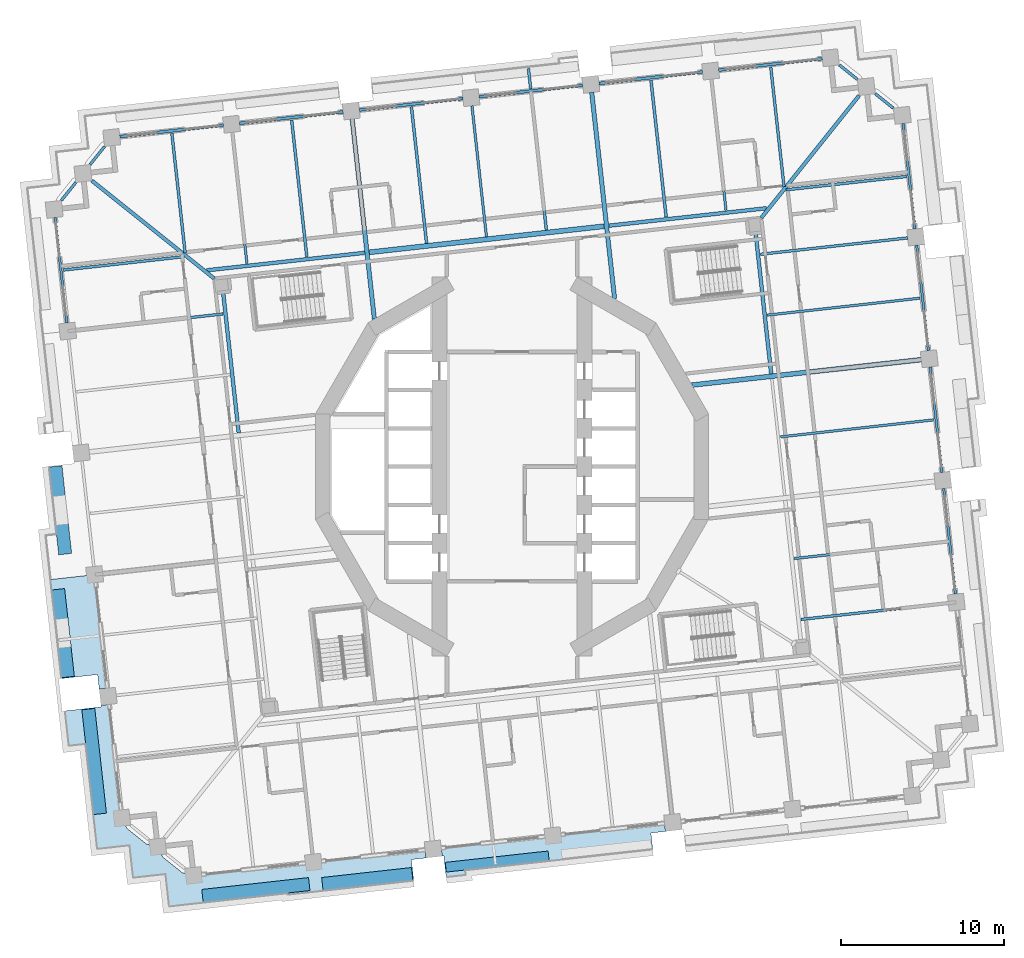
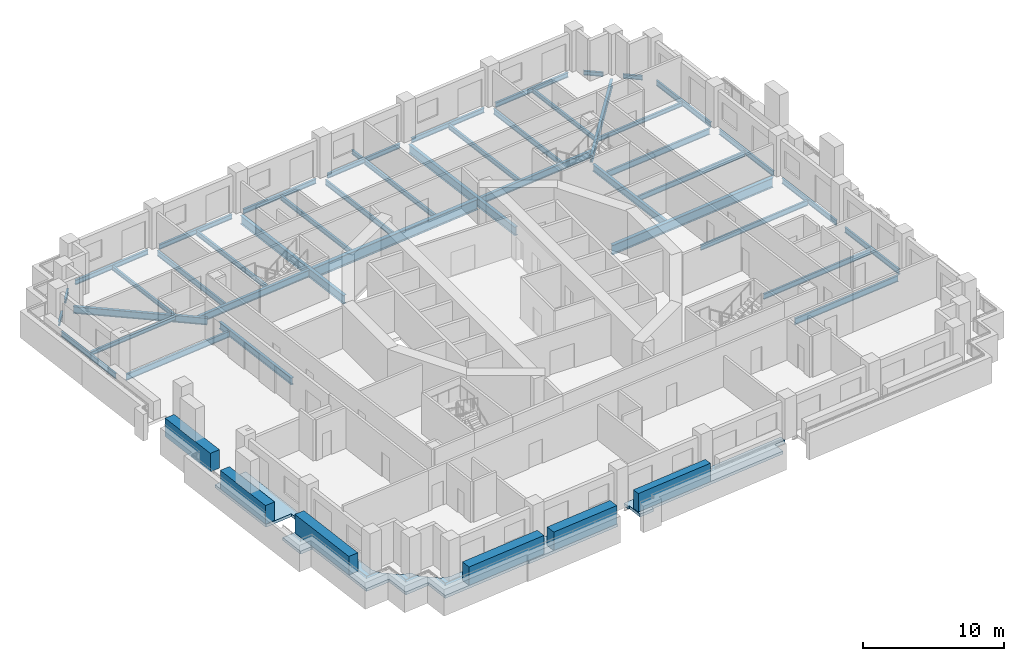
# One storey, part 2 of 19: 43 beams, 6 plates, 3 slabs.
"""IFC4 building model written with IfcOpenShell, lengths in metres."""

from ifc_helpers import new_model, si_unit, direction, frame, origin, origin_2d, place, context, subcontext, project, spatial, polyline, rectangle, i_section, outline, extrude, material, layer, layer_set, material_profile, profile_set, type_object, element, save


model = new_model("IFC4")

# Units and contexts
model_context = context("Model", 3, precision=1e-05, world=origin(), true_north=direction((0.0, 1.0)))
body_context = subcontext(model_context, "Body", "Model", "MODEL_VIEW")
ifc_project = project(units=[si_unit("LENGTHUNIT", "METRE"), si_unit("AREAUNIT", "SQUARE_METRE"), si_unit("VOLUMEUNIT", "CUBIC_METRE"), si_unit("PLANEANGLEUNIT", "RADIAN"), si_unit("MASSUNIT", "GRAM", prefix="KILO")], contexts=[model_context])

# Site, building, storey
site_placement = place(None, origin())
site = spatial("IfcSite", under=ifc_project, at=site_placement, CompositionType="ELEMENT")
building_placement = place(site_placement, origin())
building = spatial("IfcBuilding", under=site, at=building_placement, Name="Cantera Rosa Tower", CompositionType="ELEMENT")
storey_placement = place(building_placement, frame((0.0, 0.0, 65.300048828125)))
storey = spatial("IfcBuildingStorey", under=building, at=storey_placement, Name="L13", CompositionType="ELEMENT", Elevation=65.300048828125)

# Beams
ifc_material_1 = material(Name="Steel ASTM A992 (Fy 345 MPa)", Category="steel")
ifc_material_profile_1 = material_profile(ifc_material_1, i_section(OverallWidth=0.154052734375, OverallDepth=0.4599609375, WebThickness=0.009033203125, FlangeThickness=0.015380859375, FilletRadius=0.01025390625, at=origin_2d()), Name="W460X68")
ifc_profile_set_1 = profile_set([ifc_material_profile_1], Name="Steel ASTM A992 (Fy 345 MPa)")
beam_type_1 = type_object("IfcBeamType", Name="STEEL BEAM W460X68", PredefinedType="BEAM", material=ifc_profile_set_1)
beam_1_placement = place(storey_placement, frame((12.249755859375, 23.796630859375, -0.47998046875), z_axis=(0.110312435488, -0.993896959738, 0.0), x_axis=(0.993896959738, 0.110312435488, 0.0)))
element("IfcBeam", 1, at=beam_1_placement, inside=storey, type_object=beam_type_1, Name="G-Z1-05 L13", PredefinedType="BEAM", context=body_context, shape_type="SweptSolid", body=[
    extrude(i_section(OverallWidth=0.154052734375, OverallDepth=0.4599609375, WebThickness=0.009033203125, FlangeThickness=0.015380859375, FilletRadius=0.01025390625, at=origin_2d()), origin(), (0.0, 0.0, 1.0), 8.10009765625),
])
for number, where, z_axis, x_axis, name in (
    (2, (-2.4599609375, 22.163818359375, -0.47998046875), (0.110315740112, -0.993896592953, 0.0), (0.993896592953, 0.110315740112, 0.0), "G-Z1-07 L13"),
    (3, (-17.169677734375, 20.53125, -0.47998046875), (0.110315740112, -0.993896592953, 0.0), (0.993896592953, 0.110315740112, 0.0), "G-Z1-09 L13"),
):
    element("IfcBeam", number, at=place(storey_placement, frame(where, z_axis=z_axis, x_axis=x_axis)), inside=storey, type_object=beam_type_1, Name=name, PredefinedType="BEAM", context=body_context, shape_type="SweptSolid", body=[
        extrude(i_section(OverallWidth=0.154052734375, OverallDepth=0.4599609375, WebThickness=0.009033203125, FlangeThickness=0.015380859375, FilletRadius=0.01025390625, at=origin_2d()), origin(), (0.0, 0.0, 1.0), 8.099853515625),
    ])
ifc_material_2 = material(Name="Steel ASTM A992 (Fy 345 MPa)", Category="steel")
ifc_material_profile_2 = material_profile(ifc_material_2, i_section(OverallWidth=0.166015625, OverallDepth=0.528076171875, WebThickness=0.009765625, FlangeThickness=0.013671875, FilletRadius=0.0126953125, at=origin_2d()), Name="W530X74")
ifc_profile_set_2 = profile_set([ifc_material_profile_2], Name="Steel ASTM A992 (Fy 345 MPa)")
beam_type_2 = type_object("IfcBeamType", Name="STEEL BEAM W530X74", PredefinedType="BEAM", material=ifc_profile_set_2)
for number, where, z_axis, x_axis, name in (
    (4, (26.78759765625, -8.376220703125, -0.51416015625), (-0.993899428859, -0.110290186845, 0.0), (0.110290186845, -0.993899428859, 0.0), "G-Z1-01 L13"),
    (5, (24.298828125, 14.046142578125, -0.51416015625), (-0.993896161189, -0.110319630049, 0.0), (0.110319630049, -0.993896161189, 0.0), "G-Z1-04 L13"),
    (6, (-26.78759765625, 8.376220703125, -0.51416015625), (0.993899428859, 0.110290186845, 0.0), (-0.110290186845, 0.993899428859, 0.0), "G-Z1-15 L13"),
):
    element("IfcBeam", number, at=place(storey_placement, frame(where, z_axis=z_axis, x_axis=x_axis)), inside=storey, type_object=beam_type_2, Name=name, PredefinedType="BEAM", context=body_context, shape_type="SweptSolid", body=[
        extrude(i_section(OverallWidth=0.166015625, OverallDepth=0.528076171875, WebThickness=0.009765625, FlangeThickness=0.013671875, FilletRadius=0.0126953125, at=origin_2d()), origin(), (0.0, 0.0, 1.0), 9.10009765625),
    ])
ifc_material_3 = material(Name="Steel ASTM A992 (Fy 345 MPa)", Category="steel")
ifc_material_profile_3 = material_profile(ifc_material_3, i_section(OverallWidth=0.22802734375, OverallDepth=0.60205078125, WebThickness=0.010498046875, FlangeThickness=0.014892578125, FilletRadius=0.0126953125, at=origin_2d()), Name="W610X101")
ifc_profile_set_3 = profile_set([ifc_material_profile_3], Name="Steel ASTM A992 (Fy 345 MPa)")
beam_type_3 = type_object("IfcBeamType", Name="STEEL BEAM W610X101", PredefinedType="BEAM", material=ifc_profile_set_3)
beam_2_placement = place(storey_placement, frame((21.31591796875, 22.79052734375, -0.551025390625), z_axis=(-0.624787924463, -0.780794498857, 0.0), x_axis=(0.780794498857, -0.624787924463, 0.0)))
element("IfcBeam", 7, at=beam_2_placement, inside=storey, type_object=beam_type_3, Name="CB-Z1-01 L13", PredefinedType="BEAM", context=body_context, shape_type="SweptSolid", body=[
    extrude(i_section(OverallWidth=0.22802734375, OverallDepth=0.60205078125, WebThickness=0.010498046875, FlangeThickness=0.014892578125, FilletRadius=0.0126953125, at=origin_2d()), origin(), (0.0, 0.0, 1.0), 9.616455078125),
])
beam_3_placement = place(storey_placement, frame((-25.794677734375, 17.561767578125, -0.551025390625), z_axis=(0.78078211406, -0.62480340137, 0.0), x_axis=(0.62480340137, 0.78078211406, 0.0)))
element("IfcBeam", 8, at=beam_3_placement, inside=storey, type_object=beam_type_3, Name="CB-Z1-02 L13", PredefinedType="BEAM", context=body_context, shape_type="SweptSolid", body=[
    extrude(i_section(OverallWidth=0.22802734375, OverallDepth=0.60205078125, WebThickness=0.010498046875, FlangeThickness=0.014892578125, FilletRadius=0.0126953125, at=origin_2d()), origin(), (0.0, 0.0, 1.0), 9.61669921875),
])
for number, where, z_axis, x_axis, name in (
    (9, (15.918212890625, 5.70068359375, -0.551025390625), (-0.110298932846, 0.993898458301, 0.0), (-0.993898458301, -0.110298932846, 0.0), "RB-Z1-09 L13"),
    (10, (-16.781005859375, 2.071533203125, -0.551025390625), (-0.110298932846, 0.993898458301, 0.0), (-0.993898458301, -0.110298932846, 0.0), "RB-Z1-12 L13"),
):
    element("IfcBeam", number, at=place(storey_placement, frame(where, z_axis=z_axis, x_axis=x_axis)), inside=storey, type_object=beam_type_3, Name=name, PredefinedType="BEAM", context=body_context, shape_type="SweptSolid", body=[
        extrude(i_section(OverallWidth=0.22802734375, OverallDepth=0.60205078125, WebThickness=0.010498046875, FlangeThickness=0.014892578125, FilletRadius=0.0126953125, at=origin_2d()), origin(), (0.0, 0.0, 1.0), 8.68994140625),
    ])
ifc_material_4 = material(Name="Steel ASTM A992 (Fy 345 MPa)", Category="steel")
ifc_material_profile_4 = material_profile(ifc_material_4, i_section(OverallWidth=0.22900390625, OverallDepth=0.612060546875, WebThickness=0.011962890625, FlangeThickness=0.01953125, FilletRadius=0.0126953125, at=origin_2d()), Name="W610X125")
ifc_profile_set_4 = profile_set([ifc_material_profile_4], Name="Steel ASTM A992 (Fy 345 MPa)")
beam_type_4 = type_object("IfcBeamType", Name="STEEL BEAM W610X125", PredefinedType="BEAM", material=ifc_profile_set_4)
beam_4_placement = place(storey_placement, frame((-18.744384765625, 12.055908203125, -0.55615234375), z_axis=(0.993898383269, 0.110299608956, 0.0), x_axis=(-0.110299608956, 0.993898383269, 0.0)))
element("IfcBeam", 11, at=beam_4_placement, inside=storey, type_object=beam_type_4, Name="RB-Z1-01 L13", PredefinedType="BEAM", context=body_context, shape_type="SweptSolid", body=[
    extrude(i_section(OverallWidth=0.22900390625, OverallDepth=0.612060546875, WebThickness=0.011962890625, FlangeThickness=0.01953125, FilletRadius=0.0126953125, at=origin_2d()), origin(), (0.0, 0.0, 1.0), 9.750244140625),
])
beam_5_placement = place(storey_placement, frame((5.9541015625, 14.797119140625, -0.55615234375), z_axis=(0.993898078625, 0.110302354035, 0.0), x_axis=(-0.110302354035, 0.993898078625, 0.0)))
element("IfcBeam", 12, at=beam_5_placement, inside=storey, type_object=beam_type_4, Name="RB-Z1-03 L13", PredefinedType="BEAM", context=body_context, shape_type="SweptSolid", body=[
    extrude(i_section(OverallWidth=0.22900390625, OverallDepth=0.612060546875, WebThickness=0.011962890625, FlangeThickness=0.01953125, FilletRadius=0.0126953125, at=origin_2d()), origin(), (0.0, 0.0, 1.0), 9.75),
])
ifc_material_5 = material(Name="Steel ASTM A992 (Fy 345 MPa)", Category="steel")
ifc_material_profile_5 = material_profile(ifc_material_5, i_section(OverallWidth=0.26708984375, OverallDepth=0.75390625, WebThickness=0.01318359375, FlangeThickness=0.01708984375, FilletRadius=0.0166015625, at=origin_2d()), Name="W760X147")
ifc_profile_set_5 = profile_set([ifc_material_profile_5], Name="Steel ASTM A992 (Fy 345 MPa)")
beam_type_5 = type_object("IfcBeamType", Name="STEEL BEAM W760X147", PredefinedType="BEAM", material=ifc_profile_set_5)
beam_6_placement = place(storey_placement, frame((4.894775390625, 22.980224609375, -0.626953125), z_axis=(0.11031177493, -0.993897033053, 0.0), x_axis=(0.993897033053, 0.11031177493, 0.0)))
element("IfcBeam", 13, at=beam_6_placement, inside=storey, type_object=beam_type_5, Name="G-Z1-06 L13", PredefinedType="BEAM", context=body_context, shape_type="SweptSolid", body=[
    extrude(i_section(OverallWidth=0.26708984375, OverallDepth=0.75390625, WebThickness=0.01318359375, FlangeThickness=0.01708984375, FilletRadius=0.0166015625, at=origin_2d()), origin(), (0.0, 0.0, 1.0), 12.754638671875),
])
beam_7_placement = place(storey_placement, frame((-9.814697265625, 21.34765625, -0.626953125), z_axis=(0.110292782244, -0.993899140851, 0.0), x_axis=(0.993899140851, 0.110292782244, 0.0)))
element("IfcBeam", 14, at=beam_7_placement, inside=storey, type_object=beam_type_5, Name="G-Z1-08 L13", PredefinedType="BEAM", context=body_context, shape_type="SweptSolid", body=[
    extrude(i_section(OverallWidth=0.26708984375, OverallDepth=0.75390625, WebThickness=0.01318359375, FlangeThickness=0.01708984375, FilletRadius=0.0166015625, at=origin_2d()), origin(), (0.0, 0.0, 1.0), 12.360595703125),
])
ifc_material_6 = material(Name="Steel ASTM A992 (Fy 345 MPa)", Category="steel")
ifc_material_profile_6 = material_profile(ifc_material_6, i_section(OverallWidth=0.2919921875, OverallDepth=0.8359375, WebThickness=0.013916015625, FlangeThickness=0.018798828125, FilletRadius=0.017822265625, at=origin_2d()), Name="W840X176")
ifc_profile_set_6 = profile_set([ifc_material_profile_6], Name="Steel ASTM A992 (Fy 345 MPa)")
beam_type_6 = type_object("IfcBeamType", Name="STEEL BEAM W840X176", PredefinedType="BEAM", material=ifc_profile_set_6)
beam_8_placement = place(storey_placement, frame((25.12841796875, 6.572021484375, -0.66796875), z_axis=(-0.993897599241, -0.110306673519, 0.0), x_axis=(0.110306673519, -0.993897599241, 0.0)))
element("IfcBeam", 15, at=beam_8_placement, inside=storey, type_object=beam_type_6, Name="G-Z1-03 L13", PredefinedType="BEAM", context=body_context, shape_type="SweptSolid", body=[
    extrude(i_section(OverallWidth=0.2919921875, OverallDepth=0.8359375, WebThickness=0.013916015625, FlangeThickness=0.018798828125, FilletRadius=0.017822265625, at=origin_2d()), origin(), (0.0, 0.0, 1.0), 14.1650390625),
])
ifc_material_7 = material(Name="Steel ASTM A992 (Fy 345 MPa)", Category="steel")
ifc_material_profile_7 = material_profile(ifc_material_7, i_section(OverallWidth=0.304931640625, OverallDepth=0.9189453125, WebThickness=0.017333984375, FlangeThickness=0.02783203125, FilletRadius=0.01904296875, at=origin_2d()), Name="W920X253")
ifc_profile_set_7 = profile_set([ifc_material_profile_7], Name="Steel ASTM A992 (Fy 345 MPa)")
beam_type_7 = type_object("IfcBeamType", Name="STEEL BEAM W920X253", PredefinedType="BEAM", material=ifc_profile_set_7)
beam_9_placement = place(storey_placement, frame((-8.755615234375, 13.16455078125, -0.70947265625), z_axis=(0.993898099692, 0.110302164209, 0.0), x_axis=(-0.110302164209, 0.993898099692, 0.0)))
element("IfcBeam", 16, at=beam_9_placement, inside=storey, type_object=beam_type_7, Name="RB-Z1-02 L13", PredefinedType="BEAM", context=body_context, shape_type="SweptSolid", body=[
    extrude(i_section(OverallWidth=0.304931640625, OverallDepth=0.9189453125, WebThickness=0.017333984375, FlangeThickness=0.02783203125, FilletRadius=0.01904296875, at=origin_2d()), origin(), (0.0, 0.0, 1.0), 14.499755859375),
])
ifc_material_8 = material(Name="Steel ASTM A992 (Fy 345 MPa)", Category="steel")
ifc_material_profile_8 = material_profile(ifc_material_8, i_section(OverallWidth=0.1708984375, OverallDepth=0.35595703125, WebThickness=0.00732421875, FlangeThickness=0.01171875, FilletRadius=0.010009765625, at=origin_2d()), Name="W360X51")
ifc_profile_set_8 = profile_set([ifc_material_profile_8], Name="Steel ASTM A992 (Fy 345 MPa)")
beam_type_8 = type_object("IfcBeamType", Name="STEEL JOIST W360X51", PredefinedType="JOIST", material=ifc_profile_set_8)
beam_10_placement = place(storey_placement, frame((24.23193359375, 17.82177734375, -0.427978515625), z_axis=(-0.993899688369, -0.110287848199, 0.0), x_axis=(0.110287848199, -0.993899688369, 0.0)))
element("IfcBeam", 17, at=beam_10_placement, inside=storey, type_object=beam_type_8, Name="B-Z1-05 L13", PredefinedType="JOIST", context=body_context, shape_type="SweptSolid", body=[
    extrude(i_section(OverallWidth=0.1708984375, OverallDepth=0.35595703125, WebThickness=0.00732421875, FlangeThickness=0.01171875, FilletRadius=0.010009765625, at=origin_2d()), origin(), (0.0, 0.0, 1.0), 7.4599609375),
])
for number, where, z_axis, x_axis, name in (
    (18, (15.888427734375, 24.552490234375, -0.427978515625), (0.110326513132, -0.993895397162, 0.0), (0.993895397162, 0.110326513132, 0.0), "B-Z1-06 L13"),
    (19, (-20.8857421875, 20.470947265625, -0.427978515625), (0.110326513132, -0.993895397162, 0.0), (0.993895397162, 0.110326513132, 0.0), "B-Z1-11 L13"),
):
    element("IfcBeam", number, at=place(storey_placement, frame(where, z_axis=z_axis, x_axis=x_axis)), inside=storey, type_object=beam_type_8, Name=name, PredefinedType="JOIST", context=body_context, shape_type="SweptSolid", body=[
        extrude(i_section(OverallWidth=0.1708984375, OverallDepth=0.35595703125, WebThickness=0.00732421875, FlangeThickness=0.01171875, FilletRadius=0.010009765625, at=origin_2d()), origin(), (0.0, 0.0, 1.0), 7.39990234375),
    ])
beam_11_placement = place(storey_placement, frame((-27.550048828125, 12.074462890625, -0.427978515625), z_axis=(0.993895702238, 0.110323764768, 0.0), x_axis=(-0.110323764768, 0.993895702238, 0.0)))
element("IfcBeam", 20, at=beam_11_placement, inside=storey, type_object=beam_type_8, Name="B-Z1-18 L13", PredefinedType="JOIST", context=body_context, shape_type="SweptSolid", body=[
    extrude(i_section(OverallWidth=0.1708984375, OverallDepth=0.35595703125, WebThickness=0.00732421875, FlangeThickness=0.01171875, FilletRadius=0.010009765625, at=origin_2d()), origin(), (0.0, 0.0, 1.0), 7.4599609375),
])
beam_12_placement = place(storey_placement, frame((1.14794921875, 23.1982421875, -0.427978515625), z_axis=(-0.110345783203, 0.993893257915, 0.0), x_axis=(-0.993893257915, -0.110345783203, 0.0)))
element("IfcBeam", 21, at=beam_12_placement, inside=storey, type_object=beam_type_8, Name="BS-Z1-12 L13", PredefinedType="JOIST", context=body_context, shape_type="SweptSolid", body=[
    extrude(i_section(OverallWidth=0.1708984375, OverallDepth=0.35595703125, WebThickness=0.00732421875, FlangeThickness=0.01171875, FilletRadius=0.010009765625, at=origin_2d()), origin(), (0.0, 0.0, 1.0), 1.25),
])
ifc_material_9 = material(Name="Steel ASTM A992 (Fy 345 MPa)", Category="steel")
ifc_material_profile_9 = material_profile(ifc_material_9, i_section(OverallWidth=0.177978515625, OverallDepth=0.406005859375, WebThickness=0.0078125, FlangeThickness=0.0126953125, FilletRadius=0.01025390625, at=origin_2d()), Name="W410X60")
ifc_profile_set_9 = profile_set([ifc_material_profile_9], Name="Steel ASTM A992 (Fy 345 MPa)")
beam_type_9 = type_object("IfcBeamType", Name="STEEL JOIST W410X60", PredefinedType="JOIST", material=ifc_profile_set_9)
for number, where, z_axis, x_axis, name in (
    (22, (8.53369140625, 23.736328125, -0.453125), (0.110311022989, -0.99389711651, 0.0), (0.99389711651, 0.110311022989, 0.0), "B-Z1-07 L13"),
    (23, (1.178955078125, 22.919921875, -0.453125), (0.110311022989, -0.99389711651, 0.0), (0.99389711651, 0.110311022989, 0.0), "B-Z1-08 L13"),
    (24, (-6.176025390625, 22.103515625, -0.453125), (0.110311022989, -0.99389711651, 0.0), (0.99389711651, 0.110311022989, 0.0), "B-Z1-09 L13"),
    (25, (-13.53076171875, 21.287353515625, -0.453125), (0.110311022989, -0.99389711651, 0.0), (0.99389711651, 0.110311022989, 0.0), "B-Z1-10 L13"),
):
    element("IfcBeam", number, at=place(storey_placement, frame(where, z_axis=z_axis, x_axis=x_axis)), inside=storey, type_object=beam_type_9, Name=name, PredefinedType="JOIST", context=body_context, shape_type="SweptSolid", body=[
        extrude(i_section(OverallWidth=0.177978515625, OverallDepth=0.406005859375, WebThickness=0.0078125, FlangeThickness=0.0126953125, FilletRadius=0.01025390625, at=origin_2d()), origin(), (0.0, 0.0, 1.0), 8.449951171875),
    ])
ifc_material_10 = material(Name="Steel ASTM A992 (Fy 345 MPa)", Category="steel")
ifc_material_profile_10 = material_profile(ifc_material_10, i_section(OverallWidth=0.154052734375, OverallDepth=0.4599609375, WebThickness=0.009033203125, FlangeThickness=0.015380859375, FilletRadius=0.01025390625, at=origin_2d()), Name="W460X68")
ifc_profile_set_10 = profile_set([ifc_material_profile_10], Name="Steel ASTM A992 (Fy 345 MPa)")
beam_type_10 = type_object("IfcBeamType", Name="STEEL JOIST W460X68", PredefinedType="JOIST", material=ifc_profile_set_10)
for number, where, z_axis, x_axis, name in (
    (26, (26.720458984375, -4.600341796875, -0.47998046875), (-0.993896645353, -0.110315268011, 0.0), (0.110315268011, -0.993896645353, 0.0), "B-Z1-02 L13"),
    (27, (25.89111328125, 2.87353515625, -0.47998046875), (-0.993899477629, -0.110289747342, 0.0), (0.110289747342, -0.993899477629, 0.0), "B-Z1-03 L13"),
    (28, (25.0615234375, 10.34765625, -0.47998046875), (-0.993896645353, -0.110315268011, 0.0), (0.110315268011, -0.993896645353, 0.0), "B-Z1-04 L13"),
):
    element("IfcBeam", number, at=place(storey_placement, frame(where, z_axis=z_axis, x_axis=x_axis)), inside=storey, type_object=beam_type_10, Name=name, PredefinedType="JOIST", context=body_context, shape_type="SweptSolid", body=[
        extrude(i_section(OverallWidth=0.154052734375, OverallDepth=0.4599609375, WebThickness=0.009033203125, FlangeThickness=0.015380859375, FilletRadius=0.01025390625, at=origin_2d()), origin(), (0.0, 0.0, 1.0), 9.449951171875),
    ])
ifc_material_11 = material(Name="Steel ASTM A992 (Fy 345 MPa)", Category="steel")
ifc_material_profile_11 = material_profile(ifc_material_11, i_section(OverallWidth=0.1708984375, OverallDepth=0.35595703125, WebThickness=0.00732421875, FlangeThickness=0.01171875, FilletRadius=0.010009765625, at=origin_2d()), Name="W360X51")
ifc_profile_set_11 = profile_set([ifc_material_profile_11], Name="Steel ASTM A992 (Fy 345 MPa)")
beam_type_11 = type_object("IfcBeamType", Name="STEEL SPANDREL BEAM W360X51", PredefinedType="SPANDREL", material=ifc_profile_set_11)
for number, where, z_axis, x_axis, name in (
    (29, (23.4140625, 22.017333984375, -0.427978515625), (-0.780818280208, 0.624758203863, 0.0), (-0.624758203863, -0.780818280208, 0.0), "EB-Z1-06 L13"),
    (30, (21.205810546875, 23.784423828125, -0.427978515625), (-0.780818280208, 0.624758203863, 0.0), (-0.624758203863, -0.780818280208, 0.0), "EB-Z1-07 L13"),
    (31, (-25.021484375, 19.659912109375, -0.427978515625), (-0.624758203863, -0.780818280208, 0.0), (0.780818280208, -0.624758203863, 0.0), "EB-Z1-14 L13"),
    (32, (-26.78857421875, 17.451416015625, -0.427978515625), (-0.624758203863, -0.780818280208, 0.0), (0.780818280208, -0.624758203863, 0.0), "EB-Z1-15 L13"),
):
    element("IfcBeam", number, at=place(storey_placement, frame(where, z_axis=z_axis, x_axis=x_axis)), inside=storey, type_object=beam_type_11, Name=name, PredefinedType="SPANDREL", context=body_context, shape_type="SweptSolid", body=[
        extrude(i_section(OverallWidth=0.1708984375, OverallDepth=0.35595703125, WebThickness=0.00732421875, FlangeThickness=0.01171875, FilletRadius=0.010009765625, at=origin_2d()), origin(), (0.0, 0.0, 1.0), 1.414306640625),
    ])
ifc_material_12 = material(Name="Steel ASTM A992 (Fy 345 MPa)", Category="steel")
ifc_material_profile_12 = material_profile(ifc_material_12, i_section(OverallWidth=0.177978515625, OverallDepth=0.406005859375, WebThickness=0.0078125, FlangeThickness=0.0126953125, FilletRadius=0.01025390625, at=origin_2d()), Name="W410X60")
ifc_profile_set_12 = profile_set([ifc_material_profile_12], Name="Steel ASTM A992 (Fy 345 MPa)")
beam_type_12 = type_object("IfcBeamType", Name="STEEL SPANDREL BEAM W410X60", PredefinedType="SPANDREL", material=ifc_profile_set_12)
beam_13_placement = place(storey_placement, frame((19.052490234375, 25.0546875, -0.453125), z_axis=(-0.993896288542, -0.110318482689, 0.0), x_axis=(0.110318482689, -0.993896288542, 0.0)))
element("IfcBeam", 33, at=beam_13_placement, inside=storey, type_object=beam_type_12, Name="EB-Z1-08 L13", PredefinedType="SPANDREL", context=body_context, shape_type="SweptSolid", body=[
    extrude(i_section(OverallWidth=0.177978515625, OverallDepth=0.406005859375, WebThickness=0.0078125, FlangeThickness=0.0126953125, FilletRadius=0.01025390625, at=origin_2d()), origin(), (0.0, 0.0, 1.0), 6.400146484375),
])
for number, where, z_axis, x_axis, name in (
    (34, (11.697509765625, 24.23828125, -0.453125), (-0.993895824271, -0.110322665379, 0.0), (0.110322665379, -0.993895824271, 0.0), "EB-Z1-09 L13"),
    (35, (4.3427734375, 23.422119140625, -0.453125), (-0.993895824271, -0.110322665379, 0.0), (0.110322665379, -0.993895824271, 0.0), "EB-Z1-10 L13"),
):
    element("IfcBeam", number, at=place(storey_placement, frame(where, z_axis=z_axis, x_axis=x_axis)), inside=storey, type_object=beam_type_12, Name=name, PredefinedType="SPANDREL", context=body_context, shape_type="SweptSolid", body=[
        extrude(i_section(OverallWidth=0.177978515625, OverallDepth=0.406005859375, WebThickness=0.0078125, FlangeThickness=0.0126953125, FilletRadius=0.01025390625, at=origin_2d()), origin(), (0.0, 0.0, 1.0), 6.39990234375),
    ])
beam_14_placement = place(storey_placement, frame((-3.011962890625, 22.605712890625, -0.453125), z_axis=(-0.993896288542, -0.110318482689, 0.0), x_axis=(0.110318482689, -0.993896288542, 0.0)))
element("IfcBeam", 36, at=beam_14_placement, inside=storey, type_object=beam_type_12, Name="EB-Z1-11 L13", PredefinedType="SPANDREL", context=body_context, shape_type="SweptSolid", body=[
    extrude(i_section(OverallWidth=0.177978515625, OverallDepth=0.406005859375, WebThickness=0.0078125, FlangeThickness=0.0126953125, FilletRadius=0.01025390625, at=origin_2d()), origin(), (0.0, 0.0, 1.0), 6.400146484375),
])
beam_15_placement = place(storey_placement, frame((-10.366943359375, 21.789306640625, -0.453125), z_axis=(-0.993900006422, -0.110284981906, 0.0), x_axis=(0.110284981906, -0.993900006422, 0.0)))
element("IfcBeam", 37, at=beam_15_placement, inside=storey, type_object=beam_type_12, Name="EB-Z1-12 L13", PredefinedType="SPANDREL", context=body_context, shape_type="SweptSolid", body=[
    extrude(i_section(OverallWidth=0.177978515625, OverallDepth=0.406005859375, WebThickness=0.0078125, FlangeThickness=0.0126953125, FilletRadius=0.01025390625, at=origin_2d()), origin(), (0.0, 0.0, 1.0), 6.39990234375),
])
beam_16_placement = place(storey_placement, frame((-17.7216796875, 20.97314453125, -0.453125), z_axis=(-0.993896288542, -0.110318482689, 0.0), x_axis=(0.110318482689, -0.993896288542, 0.0)))
element("IfcBeam", 38, at=beam_16_placement, inside=storey, type_object=beam_type_12, Name="EB-Z1-13 L13", PredefinedType="SPANDREL", context=body_context, shape_type="SweptSolid", body=[
    extrude(i_section(OverallWidth=0.177978515625, OverallDepth=0.406005859375, WebThickness=0.0078125, FlangeThickness=0.0126953125, FilletRadius=0.01025390625, at=origin_2d()), origin(), (0.0, 0.0, 1.0), 6.400146484375),
])
ifc_material_13 = material(Name="Steel ASTM A992 (Fy 345 MPa)", Category="steel")
ifc_material_profile_13 = material_profile(ifc_material_13, i_section(OverallWidth=0.154052734375, OverallDepth=0.4599609375, WebThickness=0.009033203125, FlangeThickness=0.015380859375, FilletRadius=0.01025390625, at=origin_2d()), Name="W460X68")
ifc_profile_set_13 = profile_set([ifc_material_profile_13], Name="Steel ASTM A992 (Fy 345 MPa)")
beam_type_13 = type_object("IfcBeamType", Name="STEEL SPANDREL BEAM W460X68", PredefinedType="SPANDREL", material=ifc_profile_set_13)
for number, where, z_axis, x_axis, name in (
    (39, (27.229248046875, -7.823974609375, -0.47998046875), (-0.110312341265, 0.993896970196, 0.0), (-0.993896970196, -0.110312341265, 0.0), "EB-Z1-02 L13"),
    (40, (26.399658203125, -0.349853515625, -0.47998046875), (-0.110312341265, 0.993896970196, 0.0), (-0.993896970196, -0.110312341265, 0.0), "EB-Z1-03 L13"),
    (41, (25.570068359375, 7.124267578125, -0.47998046875), (-0.110312341265, 0.993896970196, 0.0), (-0.993896970196, -0.110312341265, 0.0), "EB-Z1-04 L13"),
    (42, (24.74072265625, 14.598388671875, -0.47998046875), (-0.110312341265, 0.993896970196, 0.0), (-0.993896970196, -0.110312341265, 0.0), "EB-Z1-05 L13"),
    (43, (-28.058837890625, 15.298095703125, -0.47998046875), (0.110312341265, -0.993896970196, 0.0), (0.993896970196, 0.110312341265, 0.0), "EB-Z1-16 L13"),
):
    element("IfcBeam", number, at=place(storey_placement, frame(where, z_axis=z_axis, x_axis=x_axis)), inside=storey, type_object=beam_type_13, Name=name, PredefinedType="SPANDREL", context=body_context, shape_type="SweptSolid", body=[
        extrude(i_section(OverallWidth=0.154052734375, OverallDepth=0.4599609375, WebThickness=0.009033203125, FlangeThickness=0.015380859375, FilletRadius=0.01025390625, at=origin_2d()), origin(), (0.0, 0.0, 1.0), 6.52001953125),
    ])

# Slabs
ifc_material_14 = material(Name="Concrete C35/45", Category="concrete")
ifc_layer = layer(ifc_material_14, 0.25)
ifc_layer_set = layer_set([ifc_layer], Name="LOGGIA SLAB 250 C35/45")
slab_type = type_object("IfcSlabType", Name="LOGGIA SLAB 250 C35/45", PredefinedType="FLOOR", material=ifc_layer_set)
slab_1_placement = place(storey_placement, frame((0.0, 0.0, -0.25)))
element("IfcSlab", 44, at=slab_1_placement, inside=storey, type_object=slab_type, Name="LOGGIA SLAB L13 1", PredefinedType="FLOOR", context=body_context, shape_type="SweptSolid", body=[
    extrude(outline(polyline([(-28.34130859375, -6.9287109375), (-25.625244140625, -6.627197265625), (-24.850830078125, -13.6044921875), (-25.347900390625, -13.65966796875), (-25.447265625, -12.764892578125), (-27.666259765625, -13.01123046875), (-28.34130859375, -6.9287109375)])), origin(), (0.0, 0.0, 1.0), 0.25),
])
slab_2_placement = place(storey_placement, frame((0.0, 0.0, -0.25)))
element("IfcSlab", 45, at=slab_2_placement, inside=storey, type_object=slab_type, Name="LOGGIA SLAB L13 3", PredefinedType="FLOOR", context=body_context, shape_type="SweptSolid", body=[
    extrude(outline(polyline([(-21.272216796875, -24.999267578125), (-21.5703125, -25.0322265625), (-23.260009765625, -25.2197265625), (-23.447509765625, -23.5302734375), (-23.48046875, -23.23193359375), (-23.77880859375, -23.26513671875), (-25.46826171875, -23.45263671875), (-25.65576171875, -21.762939453125), (-26.183837890625, -17.0048828125), (-27.21044921875, -17.118896484375), (-27.445556640625, -14.9990234375), (-25.2265625, -14.752685546875), (-25.237548828125, -14.653564453125), (-24.740478515625, -14.598388671875), (-23.96630859375, -21.575439453125), (-23.677001953125, -22.161865234375), (-23.66162109375, -22.18701171875), (-23.643798828125, -22.21044921875), (-23.62353515625, -22.23193359375), (-23.6015625, -22.25146484375), (-22.497314453125, -23.135009765625), (-22.473388671875, -23.15234375), (-22.447998046875, -23.1669921875), (-22.42138671875, -23.179443359375), (-22.393310546875, -23.18896484375), (-21.7578125, -23.342529296875), (-21.468505859375, -23.92919921875), (-21.453125, -23.9541015625), (-21.435302734375, -23.9775390625), (-21.415283203125, -23.999267578125), (-21.39306640625, -24.018798828125), (-20.288818359375, -24.902099609375), (-20.26513671875, -24.91943359375), (-20.239501953125, -24.934326171875), (-20.212890625, -24.946533203125), (-20.18505859375, -24.9560546875), (-19.54931640625, -25.10986328125), (-18.642578125, -25.00927734375), (-5.336669921875, -23.5322265625), (-5.281494140625, -24.029296875), (-6.176025390625, -24.12841796875), (-6.0341796875, -25.406005859375), (-13.77197265625, -26.2646484375), (-13.78125, -26.179931640625), (-19.36181640625, -26.79931640625), (-21.051513671875, -26.98681640625), (-21.239013671875, -25.29736328125), (-21.272216796875, -24.999267578125)])), origin(), (0.0, 0.0, 1.0), 0.25),
])
slab_3_placement = place(storey_placement, frame((0.0, 0.0, -0.25)))
element("IfcSlab", 46, at=slab_3_placement, inside=storey, type_object=slab_type, Name="LOGGIA SLAB L13 5", PredefinedType="FLOOR", context=body_context, shape_type="SweptSolid", body=[
    extrude(outline(polyline([(9.373046875, -21.899658203125), (9.42822265625, -22.396484375), (8.53369140625, -22.495849609375), (8.64404296875, -23.48974609375), (8.544677734375, -23.5009765625), (4.17138671875, -23.986083984375), (1.189697265625, -24.317138671875), (-2.89990234375, -24.77099609375), (-2.868408203125, -25.054443359375), (-4.04638671875, -25.185302734375), (-4.188232421875, -23.907958984375), (-4.28759765625, -23.9189453125), (-4.3427734375, -23.422119140625), (9.373046875, -21.899658203125)])), origin(), (0.0, 0.0, 1.0), 0.25),
])

# Plates
ifc_material_15 = material(Name="Cantera stone planter with soil", Category="masonry")
plate_type_1 = type_object("IfcPlateType", Name="PLANTER 600", PredefinedType="USERDEFINED", material=ifc_material_15)
plate_1_placement = place(storey_placement, frame((-0.90576171875, -24.247802734375, 0.0), z_axis=(0.0, 0.0, 1.0), x_axis=(0.993896946415, 0.110312555526, 0.0)))
element("IfcPlate", 47, at=plate_1_placement, inside=storey, type_object=plate_type_1, Name="PLANTER L13-19", ObjectType="PLANTER", PredefinedType="USERDEFINED", context=body_context, shape_type="SweptSolid", body=[
    extrude(rectangle(XDim=6.35009765625, YDim=0.60009765625, at=origin_2d()), origin(), (0.0, 0.0, 1.0), 1.60009765625),
])
ifc_material_16 = material(Name="Cantera stone planter with soil", Category="masonry")
plate_type_2 = type_object("IfcPlateType", Name="PLANTER 800", PredefinedType="USERDEFINED", material=ifc_material_16)
for number, where, z_axis, x_axis, name in (
    (48, (-27.733642578125, -2.67578125, 0.0), (0.0, 0.0, 1.0), (0.110312555526, -0.993896946415, 0.0), "PLANTER L13-14"),
    (49, (-27.5732421875, -10.22412109375, 0.0), (0.0, 0.0, 1.0), (0.110312555526, -0.993896946415, 0.0), "PLANTER L13-15"),
):
    element("IfcPlate", number, at=place(storey_placement, frame(where, z_axis=z_axis, x_axis=x_axis)), inside=storey, type_object=plate_type_2, Name=name, ObjectType="PLANTER", PredefinedType="USERDEFINED", context=body_context, shape_type="SweptSolid", body=[
        extrude(rectangle(XDim=5.419921875, YDim=0.800048828125, at=origin_2d()), origin(), (0.0, 0.0, 1.0), 1.60009765625),
    ])
plate_2_placement = place(storey_placement, frame((-25.6591796875, -18.10595703125, 0.0), z_axis=(0.0, 0.0, 1.0), x_axis=(0.110312555526, -0.993896946415, 0.0)))
element("IfcPlate", 50, at=plate_2_placement, inside=storey, type_object=plate_type_2, Name="PLANTER L13-16", ObjectType="PLANTER", PredefinedType="USERDEFINED", context=body_context, shape_type="SweptSolid", body=[
    extrude(rectangle(XDim=6.469970703125, YDim=0.800048828125, at=origin_2d()), origin(), (0.0, 0.0, 1.0), 1.60009765625),
])
plate_3_placement = place(storey_placement, frame((-15.728515625, -25.99365234375, 0.0), z_axis=(0.0, 0.0, 1.0), x_axis=(0.993896946415, 0.110312555526, 0.0)))
element("IfcPlate", 51, at=plate_3_placement, inside=storey, type_object=plate_type_2, Name="PLANTER L13-17", ObjectType="PLANTER", PredefinedType="USERDEFINED", context=body_context, shape_type="SweptSolid", body=[
    extrude(rectangle(XDim=6.60009765625, YDim=0.800048828125, at=origin_2d()), origin(), (0.0, 0.0, 1.0), 1.60009765625),
])
plate_4_placement = place(storey_placement, frame((-8.88623046875, -25.320068359375, 0.0), z_axis=(0.0, 0.0, 1.0), x_axis=(0.993896946415, 0.110312555526, 0.0)))
element("IfcPlate", 52, at=plate_4_placement, inside=storey, type_object=plate_type_2, Name="PLANTER L13-18", ObjectType="PLANTER", PredefinedType="USERDEFINED", context=body_context, shape_type="SweptSolid", body=[
    extrude(rectangle(XDim=5.550048828125, YDim=0.800048828125, at=origin_2d()), origin(), (0.0, 0.0, 1.0), 1.60009765625),
])

save(model, "model.ifc")
